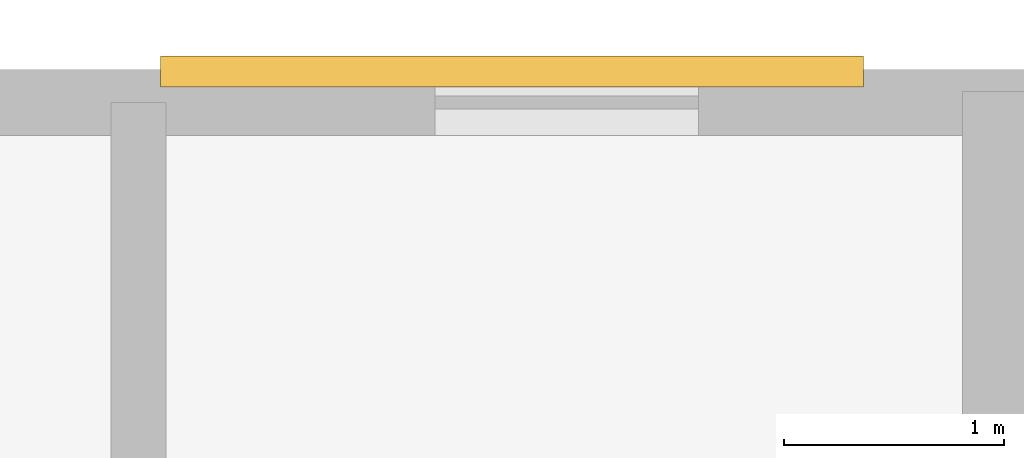
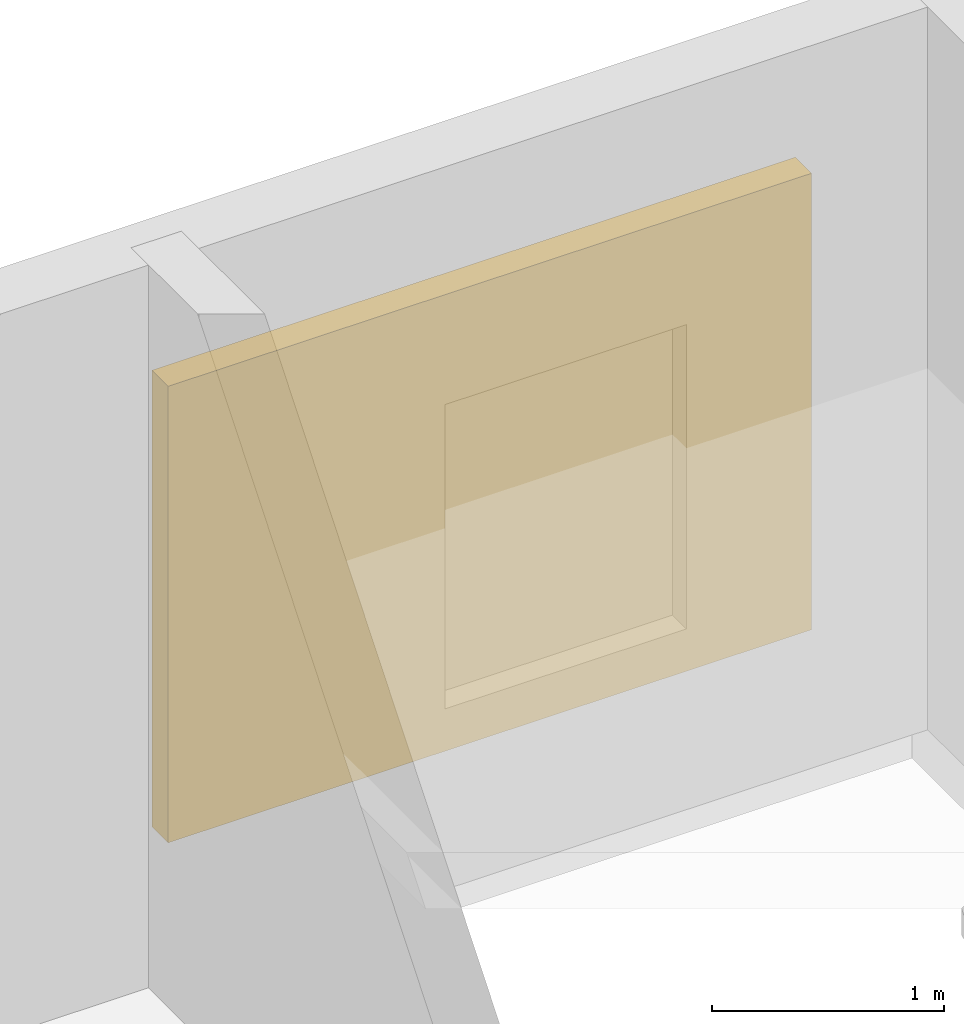
# One storey, part 24 of 24: 1 shading device.
"""IFC4 building model written with IfcOpenShell, lengths in metres."""

import ifcopenshell
import ifcopenshell.guid

model = None  # the IFC model being written
_history = None  # IfcOwnerHistory: only IFC2X3 demands one
_inside = {}  # id of a spatial element -> (the spatial element, [elements in it])
_under = {}  # id of a project, library or spatial element -> (it, [spatial elements below it])
_declared = {}  # id of a project -> (the project, [libraries it declares])
_typed = {}  # id of a type object -> (the type object, [elements of that type])
_made_of = {}  # id of a material, layer set ... -> (it, [elements and type objects made of it])


def new_model(schema):
    """Start an empty IFC model of exactly this schema.

    Asked for "IFC4X3", IfcOpenShell would pick the latest addendum, in which some entities
    have other attributes; the version numbers below select the first issue.
    IFC2X3 requires an IfcOwnerHistory on every rooted entity: one is made here for all.
    """
    global model, _history
    if schema == "IFC4X3":
        model = ifcopenshell.file(schema_version=(4, 3, 0, 0))
    else:
        model = ifcopenshell.file(schema=schema)
    _inside.clear()
    _under.clear()
    _declared.clear()
    _typed.clear()
    _made_of.clear()
    _history = None
    if model.schema == "IFC2X3":
        org = make("IfcOrganization", Name="unknown")
        user = make(
            "IfcPersonAndOrganization",
            ThePerson=make("IfcPerson", FamilyName="unknown"),
            TheOrganization=org,
        )
        app = make(
            "IfcApplication",
            ApplicationDeveloper=org,
            Version="unknown",
            ApplicationFullName="unknown",
            ApplicationIdentifier="unknown",
        )
        _history = make(
            "IfcOwnerHistory",
            OwningUser=user,
            OwningApplication=app,
            ChangeAction="ADDED",
            CreationDate=0,
        )
    return model


def make(cls, **values):
    """One entity of the class cls with the attributes given. An attribute that is None is left unset."""
    return model.create_entity(
        cls, **{name: value for name, value in values.items() if value is not None}
    )


def rooted(cls, **values):
    """An entity with a GlobalId (a new one), such as an element, a storey or a relation."""
    return make(cls, GlobalId=ifcopenshell.guid.new(), OwnerHistory=_history, **values)


def si_unit(unit_type, name, prefix=None):
    """IfcSIUnit, for example si_unit("LENGTHUNIT", "METRE", prefix="MILLI")."""
    return make("IfcSIUnit", UnitType=unit_type, Prefix=prefix, Name=name)


def assignment(units):
    """IfcUnitAssignment: the units of a project."""
    return None if units is None else make("IfcUnitAssignment", Units=units)


def point(xyz):
    """IfcCartesianPoint."""
    return None if xyz is None else make("IfcCartesianPoint", Coordinates=xyz)


def direction(xyz):
    """IfcDirection."""
    return None if xyz is None else make("IfcDirection", DirectionRatios=xyz)


def frame(location, z_axis=None, x_axis=None):
    """IfcAxis2Placement3D, a coordinate frame: its origin and axes. An axis left out is left unset."""
    return make(
        "IfcAxis2Placement3D",
        Location=point(location),
        Axis=direction(z_axis),
        RefDirection=direction(x_axis),
    )


def frame_2d(location, x_axis=None):
    """IfcAxis2Placement2D, a coordinate frame in the plane: its origin and x axis."""
    return make(
        "IfcAxis2Placement2D", Location=point(location), RefDirection=direction(x_axis)
    )


def origin():
    """The frame at (0, 0, 0) with its axes left unset."""
    return frame((0.0, 0.0, 0.0))


def origin_2d():
    """The frame at (0, 0) in the plane with its x axis left unset."""
    return frame_2d((0.0, 0.0))


def place(relative_to, where):
    """IfcLocalPlacement: puts the frame where relative to a parent placement (None: the world)."""
    return make(
        "IfcLocalPlacement", PlacementRelTo=relative_to, RelativePlacement=where
    )


def context(
    kind, dimensions, precision=None, world=None, true_north=None, identifier=None
):
    """IfcGeometricRepresentationContext, for example the 3D "Model" context."""
    return make(
        "IfcGeometricRepresentationContext",
        ContextIdentifier=identifier,
        ContextType=kind,
        CoordinateSpaceDimension=dimensions,
        Precision=precision,
        WorldCoordinateSystem=world,
        TrueNorth=true_north,
    )


def subcontext(parent, identifier, kind, view, scale=None):
    """IfcGeometricRepresentationSubContext, for example "Body" below "Model"."""
    return make(
        "IfcGeometricRepresentationSubContext",
        ContextIdentifier=identifier,
        ContextType=kind,
        ParentContext=parent,
        TargetScale=scale,
        TargetView=view,
    )


def project(units=None, contexts=None):
    """IfcProject with its units and contexts."""
    return rooted(
        "IfcProject",
        Name="project",
        RepresentationContexts=contexts,
        UnitsInContext=assignment(units),
    )


def spatial(cls, under=None, at=None, **own):
    """A site, building, storey or space (cls), placed at a placement, below another one or the project."""
    s = rooted(cls, ObjectPlacement=at, **own)
    if under is not None:
        _under.setdefault(under.id(), (under, []))[1].append(s)
    return s


def profile(cls, at=None, kind="AREA", **sizes):
    """A parametric profile (cls). Its sizes go by their IFC names, for example OverallWidth=200.0."""
    return make(cls, ProfileType=kind, Position=at, **sizes)


def rectangle(**sizes):
    """IfcRectangleProfileDef."""
    return profile("IfcRectangleProfileDef", **sizes)


def extrude(swept, where, along, depth):
    """IfcExtrudedAreaSolid: the profile swept, set in the frame where, extruded along a direction by depth."""
    return make(
        "IfcExtrudedAreaSolid",
        SweptArea=swept,
        Position=where,
        ExtrudedDirection=direction(along),
        Depth=depth,
    )


def shape(context_of_items, identifier, shape_type, items):
    """IfcShapeRepresentation: the items that make up one representation, for example the "Body"."""
    return make(
        "IfcShapeRepresentation",
        ContextOfItems=context_of_items,
        RepresentationIdentifier=identifier,
        RepresentationType=shape_type,
        Items=items,
    )


def material(Name=None, Category=None):
    """IfcMaterial."""
    return make("IfcMaterial", Name=Name, Category=Category)


def made_of(thing, what):
    """Note that an element or type object is made of a material, layer set ...; save() writes the relation."""
    if what is not None:
        _made_of.setdefault(what.id(), (what, []))[1].append(thing)
    return thing


def type_object(cls, material=None, **own):
    """A type object (cls), such as IfcWallType, which elements share."""
    return made_of(rooted(cls, **own), material)


def element(
    cls,
    number,
    at=None,
    inside=None,
    cuts=None,
    type_object=None,
    material=None,
    context=None,
    identifier="Body",
    shape_type=None,
    held_by="IfcProductDefinitionShape",
    body=None,
    shapes=None,
    **own,
):
    """One element of the class cls, such as IfcWall. Its Tag is "e" and its number.

    at: its placement. inside: the storey or other place that contains it. cuts: it is an
    opening in that element (IfcRelVoidsElement). A single representation is given by context,
    identifier, shape_type and body (its items); several are given by shapes. held_by: the class
    of the entity that holds the representations. save() writes the other relations.
    """
    e = rooted(cls, Tag="e%d" % number, ObjectPlacement=at, **own)
    if body is not None:
        shapes = [shape(context, identifier, shape_type, body)]
    if shapes is not None:
        e.Representation = make(held_by, Representations=shapes)
    if inside is not None:
        _inside.setdefault(inside.id(), (inside, []))[1].append(e)
    if cuts is not None:
        rooted(
            "IfcRelVoidsElement", RelatingBuildingElement=cuts, RelatedOpeningElement=e
        )
    if type_object is not None:
        _typed.setdefault(type_object.id(), (type_object, []))[1].append(e)
    return made_of(e, material)


def aggregate(whole, parts):
    """IfcRelAggregates: a whole, such as a stair, and the parts it consists of."""
    return rooted("IfcRelAggregates", RelatingObject=whole, RelatedObjects=parts)


def save(model, path):
    """Write the relations noted so far, then the file.

    IfcRelAggregates (storeys below a building ...), IfcRelContainedInSpatialStructure (elements
    in a storey), IfcRelDefinesByType, IfcRelAssociatesMaterial and IfcRelDeclares: one each for
    every whole, place, type object, material and project.
    """
    for whole, parts in _under.values():
        aggregate(whole, parts)
    for where, things in _inside.values():
        rooted(
            "IfcRelContainedInSpatialStructure",
            RelatedElements=things,
            RelatingStructure=where,
        )
    for kind, things in _typed.values():
        rooted("IfcRelDefinesByType", RelatedObjects=things, RelatingType=kind)
    for what, things in _made_of.values():
        rooted("IfcRelAssociatesMaterial", RelatedObjects=things, RelatingMaterial=what)
    for by, libraries in _declared.values():
        rooted("IfcRelDeclares", RelatingContext=by, RelatedDefinitions=libraries)
    model.write(path)


model = new_model("IFC4")

# Units and contexts
model_context = context("Model", 3, precision=1e-05, world=origin(), true_north=direction((0.0, 1.0)))
body_context = subcontext(model_context, "Body", "Model", "MODEL_VIEW")
ifc_project = project(units=[si_unit("LENGTHUNIT", "METRE"), si_unit("AREAUNIT", "SQUARE_METRE"), si_unit("VOLUMEUNIT", "CUBIC_METRE"), si_unit("PLANEANGLEUNIT", "RADIAN"), si_unit("MASSUNIT", "GRAM", prefix="KILO")], contexts=[model_context])

# Site, building, storey
site_placement = place(None, origin())
site = spatial("IfcSite", under=ifc_project, at=site_placement, CompositionType="ELEMENT")
building_placement = place(site_placement, origin())
building = spatial("IfcBuilding", under=site, at=building_placement, Name="Catumbela Crestline Tower", CompositionType="ELEMENT")
storey_placement = place(building_placement, frame((0.0, 0.0, 237.4)))
storey = spatial("IfcBuildingStorey", under=building, at=storey_placement, Name="L61", CompositionType="ELEMENT", Elevation=237.4)

# Shading device
ifc_material = material(Name="Extruded terracotta ceramic", Category="masonry")
shading_device_type = type_object("IfcShadingDeviceType", Name="ST-340", PredefinedType="USERDEFINED", material=ifc_material)
shading_device_placement = place(storey_placement, frame((37.8, 43.04, 0.55), z_axis=(0.0, 0.0, 1.0), x_axis=(1.0, 0.0, 0.0)))
element("IfcShadingDevice", 1, at=shading_device_placement, inside=storey, type_object=shading_device_type, Name="L61 Rear Core Terracotta Brise-Soleil Screen 730", ObjectType="SCREEN", PredefinedType="USERDEFINED", context=body_context, shape_type="SweptSolid", body=[
    extrude(rectangle(XDim=3.2, YDim=0.14, at=origin_2d()), origin(), (0.0, 0.0, 1.0), 2.4),
])

save(model, "model.ifc")
